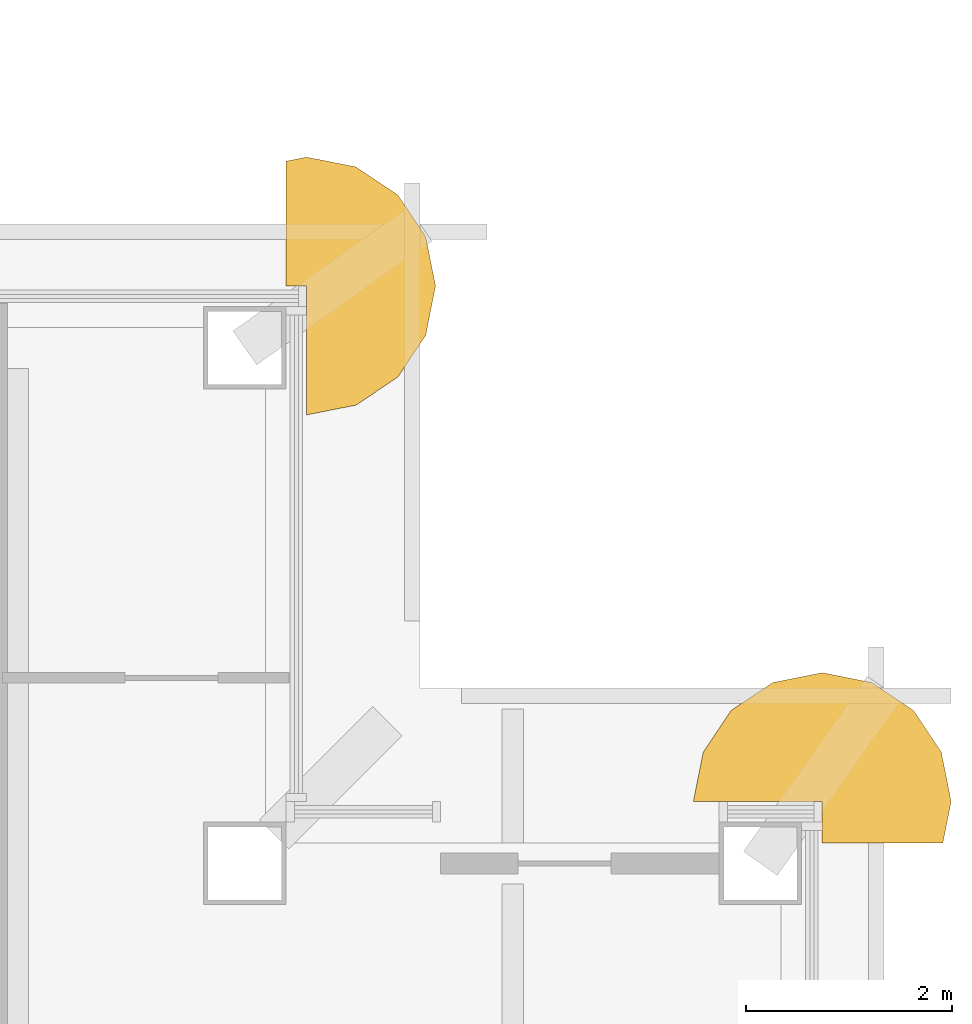
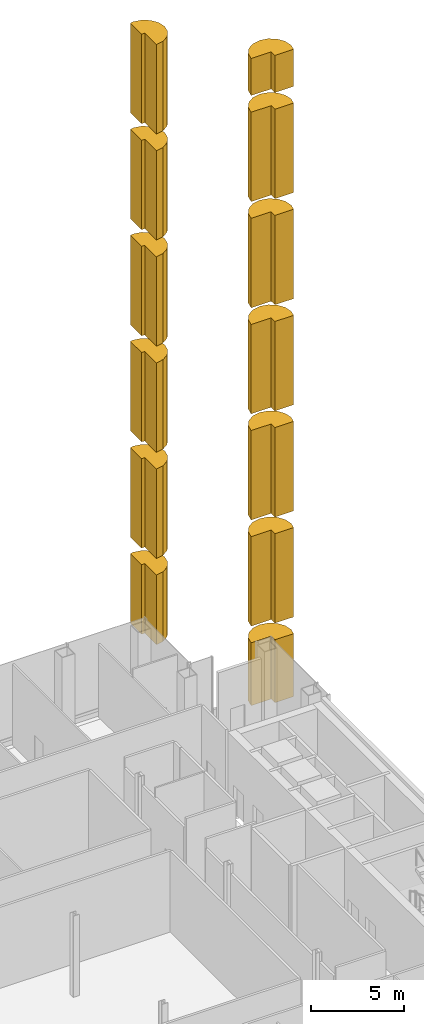
# One storey, part 21 of 22: 13 coverings.
"""IFC4 building model written with IfcOpenShell, lengths in metres."""

from ifc_helpers import new_model, si_unit, direction, frame, origin, place, context, subcontext, project, spatial, polyline, outline, extrude, material, type_object, element, save


model = new_model("IFC4")

# Units and contexts
model_context = context("Model", 3, precision=1e-05, world=origin(), true_north=direction((0.0, 1.0)))
body_context = subcontext(model_context, "Body", "Model", "MODEL_VIEW")
ifc_project = project(units=[si_unit("LENGTHUNIT", "METRE"), si_unit("AREAUNIT", "SQUARE_METRE"), si_unit("VOLUMEUNIT", "CUBIC_METRE"), si_unit("PLANEANGLEUNIT", "RADIAN"), si_unit("MASSUNIT", "GRAM", prefix="KILO")], contexts=[model_context])

# Site, building, storey
site_placement = place(None, origin())
site = spatial("IfcSite", under=ifc_project, at=site_placement, CompositionType="ELEMENT")
building_placement = place(site_placement, origin())
building = spatial("IfcBuilding", under=site, at=building_placement, Name="Cobrizo Arcos Hotel Tower", CompositionType="ELEMENT")
storey_placement = place(building_placement, frame((0.0, 0.0, 142.5)))
storey = spatial("IfcBuildingStorey", under=building, at=storey_placement, Name="L36", CompositionType="ELEMENT", Elevation=142.5)

# Coverings
ifc_material = material(Name="Aluminium 6063-T6 anodised pale", Category="aluminium")
covering_type = type_object("IfcCoveringType", Name="RB-2 notch bullnose roll R1250", PredefinedType="CLADDING", material=ifc_material)
covering_1_placement = place(storey_placement, frame((0.0, 0.0, 4.362548828125)))
element("IfcCovering", 1, at=covering_1_placement, inside=storey, type_object=covering_type, Name="Notch bullnose roll 17", PredefinedType="CLADDING", context=body_context, shape_type="SweptSolid", body=[
    extrude(outline(polyline([(18.083984375, 21.316162109375), (18.354736328125, 21.7216796875), (18.449951171875, 22.199951171875), (18.354736328125, 22.678466796875), (18.083984375, 23.083984375), (17.678466796875, 23.354736328125), (17.199951171875, 23.449951171875), (17.0, 23.41015625), (17.0, 22.199951171875), (17.199951171875, 22.199951171875), (17.199951171875, 20.949951171875), (17.678466796875, 21.045166015625), (18.083984375, 21.316162109375)])), origin(), (0.0, 0.0, 1.0), 4.58740234375),
])
for number, where, name in (
    (2, (0.0, 0.0, 10.050048828125), "Notch bullnose roll 17 part 2"),
    (3, (0.0, 0.0, 17.050048828125), "Notch bullnose roll 17 part 3"),
    (4, (0.0, 0.0, 24.050048828125), "Notch bullnose roll 17 part 4"),
    (5, (0.0, 0.0, 31.050048828125), "Notch bullnose roll 17 part 5"),
    (6, (0.0, 0.0, 38.050048828125), "Notch bullnose roll 17 part 6"),
):
    element("IfcCovering", number, at=place(storey_placement, frame(where)), inside=storey, type_object=covering_type, Name=name, PredefinedType="CLADDING", context=body_context, shape_type="SweptSolid", body=[
        extrude(outline(polyline([(18.083984375, 21.316162109375), (18.354736328125, 21.7216796875), (18.449951171875, 22.199951171875), (18.354736328125, 22.678466796875), (18.083984375, 23.083984375), (17.678466796875, 23.354736328125), (17.199951171875, 23.449951171875), (17.0, 23.41015625), (17.0, 22.199951171875), (17.199951171875, 22.199951171875), (17.199951171875, 20.949951171875), (17.678466796875, 21.045166015625), (18.083984375, 21.316162109375)])), origin(), (0.0, 0.0, 1.0), 5.89990234375),
    ])
covering_2_placement = place(storey_placement, frame((0.0, 0.0, 1.300048828125)))
element("IfcCovering", 7, at=covering_2_placement, inside=storey, type_object=covering_type, Name="Notch bullnose roll 20", PredefinedType="CLADDING", context=body_context, shape_type="SweptSolid", body=[
    extrude(outline(polyline([(21.316162109375, 18.083984375), (21.045166015625, 17.678466796875), (20.949951171875, 17.199951171875), (22.199951171875, 17.199951171875), (22.199951171875, 16.800048828125), (23.370361328125, 16.800048828125), (23.449951171875, 17.199951171875), (23.354736328125, 17.678466796875), (23.083984375, 18.083984375), (22.678466796875, 18.354736328125), (22.199951171875, 18.449951171875), (21.7216796875, 18.354736328125), (21.316162109375, 18.083984375)])), origin(), (0.0, 0.0, 1.0), 4.14990234375),
])
for number, where, name in (
    (8, (0.0, 0.0, 6.550048828125), "Notch bullnose roll 20 part 2"),
    (9, (0.0, 0.0, 13.550048828125), "Notch bullnose roll 20 part 3"),
    (10, (0.0, 0.0, 20.550048828125), "Notch bullnose roll 20 part 4"),
    (11, (0.0, 0.0, 27.550048828125), "Notch bullnose roll 20 part 5"),
    (12, (0.0, 0.0, 34.550048828125), "Notch bullnose roll 20 part 6"),
):
    element("IfcCovering", number, at=place(storey_placement, frame(where)), inside=storey, type_object=covering_type, Name=name, PredefinedType="CLADDING", context=body_context, shape_type="SweptSolid", body=[
        extrude(outline(polyline([(21.316162109375, 18.083984375), (21.045166015625, 17.678466796875), (20.949951171875, 17.199951171875), (22.199951171875, 17.199951171875), (22.199951171875, 16.800048828125), (23.370361328125, 16.800048828125), (23.449951171875, 17.199951171875), (23.354736328125, 17.678466796875), (23.083984375, 18.083984375), (22.678466796875, 18.354736328125), (22.199951171875, 18.449951171875), (21.7216796875, 18.354736328125), (21.316162109375, 18.083984375)])), origin(), (0.0, 0.0, 1.0), 5.89990234375),
    ])
covering_3_placement = place(storey_placement, frame((0.0, 0.0, 41.550048828125)))
element("IfcCovering", 13, at=covering_3_placement, inside=storey, type_object=covering_type, Name="Notch bullnose roll 20 part 7", PredefinedType="CLADDING", context=body_context, shape_type="SweptSolid", body=[
    extrude(outline(polyline([(21.316162109375, 18.083984375), (21.045166015625, 17.678466796875), (20.949951171875, 17.199951171875), (22.199951171875, 17.199951171875), (22.199951171875, 16.800048828125), (23.370361328125, 16.800048828125), (23.449951171875, 17.199951171875), (23.354736328125, 17.678466796875), (23.083984375, 18.083984375), (22.678466796875, 18.354736328125), (22.199951171875, 18.449951171875), (21.7216796875, 18.354736328125), (21.316162109375, 18.083984375)])), origin(), (0.0, 0.0, 1.0), 2.449951171875),
])

save(model, "model.ifc")
